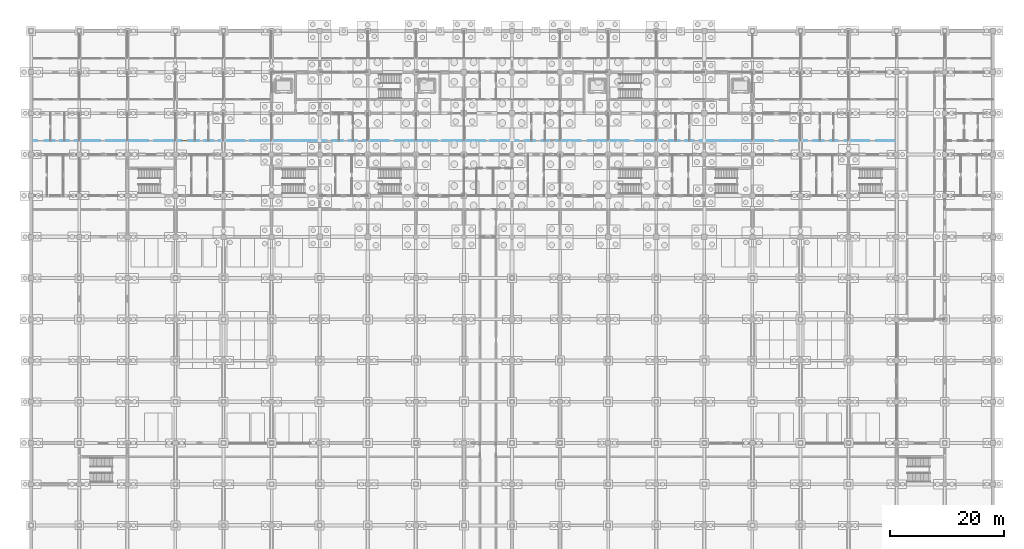
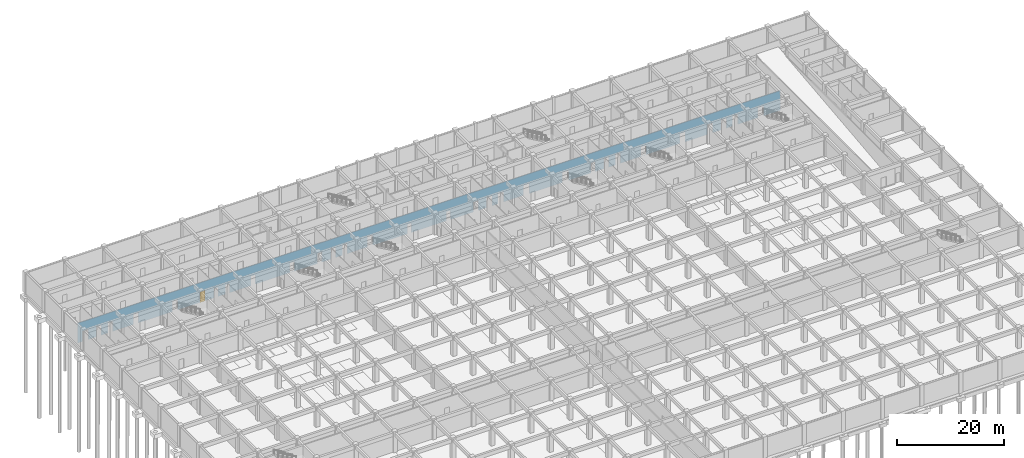
# One storey, part 46 of 85: 1 door, 30 openings, plus 1 element that does not belong to this part.
"""IFC4 building model written with IfcOpenShell, lengths in metres."""

from ifc_helpers import new_model, si_unit, direction, frame, frame_2d, origin, place, context, subcontext, project, spatial, rectangle, extrude, material, layer, layer_set, type_object, element, fill, save


model = new_model("IFC4")

# Units and contexts
model_context = context("Model", 3, precision=1e-05, world=origin(), true_north=direction((0.0, 1.0)))
body_context = subcontext(model_context, "Body", "Model", "MODEL_VIEW")
ifc_project = project(units=[si_unit("LENGTHUNIT", "METRE"), si_unit("AREAUNIT", "SQUARE_METRE"), si_unit("VOLUMEUNIT", "CUBIC_METRE"), si_unit("PLANEANGLEUNIT", "RADIAN"), si_unit("MASSUNIT", "GRAM", prefix="KILO")], contexts=[model_context])

# Site, building, storey
site_placement = place(None, origin())
site = spatial("IfcSite", under=ifc_project, at=site_placement, CompositionType="ELEMENT")
building_placement = place(site_placement, origin())
building = spatial("IfcBuilding", under=site, at=building_placement, Name="Chengyuan Square Courthouse", CompositionType="ELEMENT")
storey_placement = place(building_placement, frame((0.0, 0.0, -10.199951171875)))
storey = spatial("IfcBuildingStorey", under=building, at=storey_placement, Name="B02", CompositionType="ELEMENT", Elevation=-10.199951171875)

# Wall, openings, door
ifc_material_1 = material(Name="Gypsum Plasterboard Acoustic Stud Partition")
ifc_layer = layer(ifc_material_1, 0.10009765625)
ifc_layer_set = layer_set([ifc_layer], Name="Gypsum Plasterboard Acoustic Stud Partition")
wall_type = type_object("IfcWallType", Name="WL-PT6", PredefinedType="STANDARD", material=ifc_layer_set)
wall_placement = place(storey_placement, frame((0.0400390625, 96.0, 0.0), z_axis=(0.0, 0.0, 1.0), x_axis=(1.0, 0.0, 0.0)))
wall = element("IfcWall", 1, at=wall_placement, inside=storey, type_object=wall_type, Name="Interior Wall WL-B02-I062", PredefinedType="STANDARD", context=body_context, shape_type="SweptSolid", body=[
    extrude(rectangle(XDim=151.159912109375, YDim=0.10009765625, at=frame_2d((75.580078125, 0.0))), origin(), (0.0, 0.0, 1.0), 4.47998046875),
])
opening_1_placement = place(wall_placement, frame((1.0400390625, 0.0, 0.0)))
element("IfcOpeningElement", 2, at=opening_1_placement, cuts=wall, Name="Opening DR-148", PredefinedType="OPENING", context=body_context, shape_type="SweptSolid", body=[
    extrude(rectangle(XDim=1.280029296875, YDim=2.35009765625, at=frame_2d((0.64013671875, 1.175048828125))), frame((0.0, 0.06201171875, 0.0), z_axis=(0.0, -1.0, 0.0), x_axis=(1.0, 0.0, 0.0)), (0.0, 0.0, 1.0), 0.1240234375),
])
opening_2_placement = place(wall_placement, frame((4.090087890625, 0.0, 0.0)))
element("IfcOpeningElement", 3, at=opening_2_placement, cuts=wall, Name="Opening DR-149", PredefinedType="OPENING", context=body_context, shape_type="SweptSolid", body=[
    extrude(rectangle(XDim=0.93994140625, YDim=2.300048828125, at=frame_2d((0.469970703125, 1.14990234375))), frame((0.0, 0.06201171875, 0.0), z_axis=(0.0, -1.0, 0.0), x_axis=(1.0, 0.0, 0.0)), (0.0, 0.0, 1.0), 0.1240234375),
])
opening_3_placement = place(wall_placement, frame((6.570068359375, 0.0, 0.0)))
element("IfcOpeningElement", 4, at=opening_3_placement, cuts=wall, Name="Opening DR-150", PredefinedType="OPENING", context=body_context, shape_type="SweptSolid", body=[
    extrude(rectangle(XDim=0.97998046875, YDim=2.35009765625, at=frame_2d((0.489990234375, 1.175048828125))), frame((0.0, 0.06201171875, 0.0), z_axis=(0.0, -1.0, 0.0), x_axis=(1.0, 0.0, 0.0)), (0.0, 0.0, 1.0), 0.1240234375),
])
opening_4_placement = place(wall_placement, frame((12.050048828125, 0.0, 0.0)))
element("IfcOpeningElement", 5, at=opening_4_placement, cuts=wall, Name="Opening DR-151", PredefinedType="OPENING", context=body_context, shape_type="SweptSolid", body=[
    extrude(rectangle(XDim=1.02001953125, YDim=2.39990234375, at=frame_2d((0.510009765625, 1.199951171875))), frame((0.0, 0.06201171875, 0.0), z_axis=(0.0, -1.0, 0.0), x_axis=(1.0, 0.0, 0.0)), (0.0, 0.0, 1.0), 0.1240234375),
])
opening_5_placement = place(wall_placement, frame((20.429931640625, 0.0, 0.0)))
element("IfcOpeningElement", 6, at=opening_5_placement, cuts=wall, Name="Opening DR-152", PredefinedType="OPENING", context=body_context, shape_type="SweptSolid", body=[
    extrude(rectangle(XDim=1.06005859375, YDim=2.39990234375, at=frame_2d((0.530029296875, 1.199951171875))), frame((0.0, 0.06201171875, 0.0), z_axis=(0.0, -1.0, 0.0), x_axis=(1.0, 0.0, 0.0)), (0.0, 0.0, 1.0), 0.1240234375),
])
opening_6_placement = place(wall_placement, frame((26.2900390625, 0.0, 0.0)))
opening_6 = element("IfcOpeningElement", 7, at=opening_6_placement, cuts=wall, Name="Opening DR-153", PredefinedType="OPENING", context=body_context, shape_type="SweptSolid", body=[
    extrude(rectangle(XDim=1.139892578125, YDim=2.39990234375, at=frame_2d((0.56982421875, 1.199951171875))), frame((0.0, 0.06201171875, 0.0), z_axis=(0.0, -1.0, 0.0), x_axis=(1.0, 0.0, 0.0)), (0.0, 0.0, 1.0), 0.1240234375),
])
opening_7_placement = place(wall_placement, frame((29.31005859375, 0.0, 0.0)))
element("IfcOpeningElement", 8, at=opening_7_placement, cuts=wall, Name="Opening DR-154", PredefinedType="OPENING", context=body_context, shape_type="SweptSolid", body=[
    extrude(rectangle(XDim=0.89990234375, YDim=2.14990234375, at=frame_2d((0.449951171875, 1.074951171875))), frame((0.0, 0.06201171875, 0.0), z_axis=(0.0, -1.0, 0.0), x_axis=(1.0, 0.0, 0.0)), (0.0, 0.0, 1.0), 0.1240234375),
])
opening_8_placement = place(wall_placement, frame((31.830078125, 0.0, 0.0)))
element("IfcOpeningElement", 9, at=opening_8_placement, cuts=wall, Name="Opening DR-155", PredefinedType="OPENING", context=body_context, shape_type="SweptSolid", body=[
    extrude(rectangle(XDim=0.860107421875, YDim=2.10009765625, at=frame_2d((0.43017578125, 1.050048828125))), frame((0.0, 0.06201171875, 0.0), z_axis=(0.0, -1.0, 0.0), x_axis=(1.0, 0.0, 0.0)), (0.0, 0.0, 1.0), 0.1240234375),
])
opening_9_placement = place(wall_placement, frame((37.300048828125, 0.0, 0.0)))
element("IfcOpeningElement", 10, at=opening_9_placement, cuts=wall, Name="Opening DR-156", PredefinedType="OPENING", context=body_context, shape_type="SweptSolid", body=[
    extrude(rectangle(XDim=0.919921875, YDim=2.14990234375, at=frame_2d((0.4599609375, 1.074951171875))), frame((0.0, 0.06201171875, 0.0), z_axis=(0.0, -1.0, 0.0), x_axis=(1.0, 0.0, 0.0)), (0.0, 0.0, 1.0), 0.1240234375),
])
opening_10_placement = place(wall_placement, frame((45.679931640625, 0.0, 0.0)))
element("IfcOpeningElement", 11, at=opening_10_placement, cuts=wall, Name="Opening DR-157", PredefinedType="OPENING", context=body_context, shape_type="SweptSolid", body=[
    extrude(rectangle(XDim=0.9599609375, YDim=2.199951171875, at=frame_2d((0.47998046875, 1.10009765625))), frame((0.0, 0.06201171875, 0.0), z_axis=(0.0, -1.0, 0.0), x_axis=(1.0, 0.0, 0.0)), (0.0, 0.0, 1.0), 0.1240234375),
])
opening_11_placement = place(wall_placement, frame((51.570068359375, 0.0, 0.0)))
element("IfcOpeningElement", 12, at=opening_11_placement, cuts=wall, Name="Opening DR-167", PredefinedType="OPENING", context=body_context, shape_type="SweptSolid", body=[
    extrude(rectangle(XDim=0.97998046875, YDim=2.35009765625, at=frame_2d((0.489990234375, 1.175048828125))), frame((0.0, 0.06201171875, 0.0), z_axis=(0.0, -1.0, 0.0), x_axis=(1.0, 0.0, 0.0)), (0.0, 0.0, 1.0), 0.1240234375),
])
opening_12_placement = place(wall_placement, frame((54.449951171875, 0.0, 0.0)))
element("IfcOpeningElement", 13, at=opening_12_placement, cuts=wall, Name="Opening DR-168", PredefinedType="OPENING", context=body_context, shape_type="SweptSolid", body=[
    extrude(rectangle(XDim=1.02001953125, YDim=2.39990234375, at=frame_2d((0.510009765625, 1.199951171875))), frame((0.0, 0.06201171875, 0.0), z_axis=(0.0, -1.0, 0.0), x_axis=(1.0, 0.0, 0.0)), (0.0, 0.0, 1.0), 0.1240234375),
])
opening_13_placement = place(wall_placement, frame((56.929931640625, 0.0, 0.0)))
element("IfcOpeningElement", 14, at=opening_13_placement, cuts=wall, Name="Opening DR-169", PredefinedType="OPENING", context=body_context, shape_type="SweptSolid", body=[
    extrude(rectangle(XDim=1.06005859375, YDim=2.39990234375, at=frame_2d((0.530029296875, 1.199951171875))), frame((0.0, 0.06201171875, 0.0), z_axis=(0.0, -1.0, 0.0), x_axis=(1.0, 0.0, 0.0)), (0.0, 0.0, 1.0), 0.1240234375),
])
opening_14_placement = place(wall_placement, frame((62.389892578125, 0.0, 0.0)))
element("IfcOpeningElement", 15, at=opening_14_placement, cuts=wall, Name="Opening DR-170", PredefinedType="OPENING", context=body_context, shape_type="SweptSolid", body=[
    extrude(rectangle(XDim=1.139892578125, YDim=2.39990234375, at=frame_2d((0.56982421875, 1.199951171875))), frame((0.0, 0.06201171875, 0.0), z_axis=(0.0, -1.0, 0.0), x_axis=(1.0, 0.0, 0.0)), (0.0, 0.0, 1.0), 0.1240234375),
])
opening_15_placement = place(wall_placement, frame((70.909912109375, 0.0, 0.0)))
element("IfcOpeningElement", 16, at=opening_15_placement, cuts=wall, Name="Opening DR-171", PredefinedType="OPENING", context=body_context, shape_type="SweptSolid", body=[
    extrude(rectangle(XDim=0.89990234375, YDim=2.14990234375, at=frame_2d((0.449951171875, 1.074951171875))), frame((0.0, 0.06201171875, 0.0), z_axis=(0.0, -1.0, 0.0), x_axis=(1.0, 0.0, 0.0)), (0.0, 0.0, 1.0), 0.1240234375),
])
opening_16_placement = place(wall_placement, frame((79.330078125, 0.0, 0.0)))
element("IfcOpeningElement", 17, at=opening_16_placement, cuts=wall, Name="Opening DR-172", PredefinedType="OPENING", context=body_context, shape_type="SweptSolid", body=[
    extrude(rectangle(XDim=0.860107421875, YDim=2.10009765625, at=frame_2d((0.43017578125, 1.050048828125))), frame((0.0, 0.06201171875, 0.0), z_axis=(0.0, -1.0, 0.0), x_axis=(1.0, 0.0, 0.0)), (0.0, 0.0, 1.0), 0.1240234375),
])
opening_17_placement = place(wall_placement, frame((85.10009765625, 0.0, 0.0)))
element("IfcOpeningElement", 18, at=opening_17_placement, cuts=wall, Name="Opening DR-178", PredefinedType="OPENING", context=body_context, shape_type="SweptSolid", body=[
    extrude(rectangle(XDim=1.1201171875, YDim=2.25, at=frame_2d((0.56005859375, 1.125))), frame((0.0, 0.06201171875, 0.0), z_axis=(0.0, -1.0, 0.0), x_axis=(1.0, 0.0, 0.0)), (0.0, 0.0, 1.0), 0.1240234375),
])
opening_18_placement = place(wall_placement, frame((87.97998046875, 0.0, 0.0)))
element("IfcOpeningElement", 19, at=opening_18_placement, cuts=wall, Name="Opening DR-179", PredefinedType="OPENING", context=body_context, shape_type="SweptSolid", body=[
    extrude(rectangle(XDim=1.159912109375, YDim=2.300048828125, at=frame_2d((0.580078125, 1.14990234375))), frame((0.0, 0.06201171875, 0.0), z_axis=(0.0, -1.0, 0.0), x_axis=(1.0, 0.0, 0.0)), (0.0, 0.0, 1.0), 0.1240234375),
])
opening_19_placement = place(wall_placement, frame((90.4599609375, 0.0, 0.0)))
element("IfcOpeningElement", 20, at=opening_19_placement, cuts=wall, Name="Opening DR-180", PredefinedType="OPENING", context=body_context, shape_type="SweptSolid", body=[
    extrude(rectangle(XDim=1.199951171875, YDim=2.35009765625, at=frame_2d((0.60009765625, 1.175048828125))), frame((0.0, 0.06201171875, 0.0), z_axis=(0.0, -1.0, 0.0), x_axis=(1.0, 0.0, 0.0)), (0.0, 0.0, 1.0), 0.1240234375),
])
opening_20_placement = place(wall_placement, frame((95.93994140625, 0.0, 0.0)))
element("IfcOpeningElement", 21, at=opening_20_placement, cuts=wall, Name="Opening DR-181", PredefinedType="OPENING", context=body_context, shape_type="SweptSolid", body=[
    extrude(rectangle(XDim=1.239990234375, YDim=2.300048828125, at=frame_2d((0.6201171875, 1.14990234375))), frame((0.0, 0.06201171875, 0.0), z_axis=(0.0, -1.0, 0.0), x_axis=(1.0, 0.0, 0.0)), (0.0, 0.0, 1.0), 0.1240234375),
])
opening_21_placement = place(wall_placement, frame((104.320068359375, 0.0, 0.0)))
element("IfcOpeningElement", 22, at=opening_21_placement, cuts=wall, Name="Opening DR-182", PredefinedType="OPENING", context=body_context, shape_type="SweptSolid", body=[
    extrude(rectangle(XDim=1.280029296875, YDim=2.35009765625, at=frame_2d((0.64013671875, 1.175048828125))), frame((0.0, 0.06201171875, 0.0), z_axis=(0.0, -1.0, 0.0), x_axis=(1.0, 0.0, 0.0)), (0.0, 0.0, 1.0), 0.1240234375),
])
opening_22_placement = place(wall_placement, frame((110.389892578125, 0.0, 0.0)))
element("IfcOpeningElement", 23, at=opening_22_placement, cuts=wall, Name="Opening DR-183", PredefinedType="OPENING", context=body_context, shape_type="SweptSolid", body=[
    extrude(rectangle(XDim=0.93994140625, YDim=2.300048828125, at=frame_2d((0.469970703125, 1.14990234375))), frame((0.0, 0.06201171875, 0.0), z_axis=(0.0, -1.0, 0.0), x_axis=(1.0, 0.0, 0.0)), (0.0, 0.0, 1.0), 0.1240234375),
])
opening_23_placement = place(wall_placement, frame((113.27001953125, 0.0, 0.0)))
element("IfcOpeningElement", 24, at=opening_23_placement, cuts=wall, Name="Opening DR-184", PredefinedType="OPENING", context=body_context, shape_type="SweptSolid", body=[
    extrude(rectangle(XDim=0.97998046875, YDim=2.35009765625, at=frame_2d((0.489990234375, 1.175048828125))), frame((0.0, 0.06201171875, 0.0), z_axis=(0.0, -1.0, 0.0), x_axis=(1.0, 0.0, 0.0)), (0.0, 0.0, 1.0), 0.1240234375),
])
opening_24_placement = place(wall_placement, frame((115.75, 0.0, 0.0)))
element("IfcOpeningElement", 25, at=opening_24_placement, cuts=wall, Name="Opening DR-185", PredefinedType="OPENING", context=body_context, shape_type="SweptSolid", body=[
    extrude(rectangle(XDim=1.02001953125, YDim=2.39990234375, at=frame_2d((0.510009765625, 1.199951171875))), frame((0.0, 0.06201171875, 0.0), z_axis=(0.0, -1.0, 0.0), x_axis=(1.0, 0.0, 0.0)), (0.0, 0.0, 1.0), 0.1240234375),
])
opening_25_placement = place(wall_placement, frame((121.239990234375, 0.0, 0.0)))
element("IfcOpeningElement", 26, at=opening_25_placement, cuts=wall, Name="Opening DR-193", PredefinedType="OPENING", context=body_context, shape_type="SweptSolid", body=[
    extrude(rectangle(XDim=1.0400390625, YDim=2.199951171875, at=frame_2d((0.52001953125, 1.10009765625))), frame((0.0, 0.06201171875, 0.0), z_axis=(0.0, -1.0, 0.0), x_axis=(1.0, 0.0, 0.0)), (0.0, 0.0, 1.0), 0.1240234375),
])
opening_26_placement = place(wall_placement, frame((129.6201171875, 0.0, 0.0)))
element("IfcOpeningElement", 27, at=opening_26_placement, cuts=wall, Name="Opening DR-194", PredefinedType="OPENING", context=body_context, shape_type="SweptSolid", body=[
    extrude(rectangle(XDim=1.080078125, YDim=2.25, at=frame_2d((0.5400390625, 1.125))), frame((0.0, 0.06201171875, 0.0), z_axis=(0.0, -1.0, 0.0), x_axis=(1.0, 0.0, 0.0)), (0.0, 0.0, 1.0), 0.1240234375),
])
opening_27_placement = place(wall_placement, frame((135.5, 0.0, 0.0)))
element("IfcOpeningElement", 28, at=opening_27_placement, cuts=wall, Name="Opening DR-195", PredefinedType="OPENING", context=body_context, shape_type="SweptSolid", body=[
    extrude(rectangle(XDim=1.1201171875, YDim=2.25, at=frame_2d((0.56005859375, 1.125))), frame((0.0, 0.06201171875, 0.0), z_axis=(0.0, -1.0, 0.0), x_axis=(1.0, 0.0, 0.0)), (0.0, 0.0, 1.0), 0.1240234375),
])
opening_28_placement = place(wall_placement, frame((138.3798828125, 0.0, 0.0)))
element("IfcOpeningElement", 29, at=opening_28_placement, cuts=wall, Name="Opening DR-196", PredefinedType="OPENING", context=body_context, shape_type="SweptSolid", body=[
    extrude(rectangle(XDim=1.159912109375, YDim=2.300048828125, at=frame_2d((0.580078125, 1.14990234375))), frame((0.0, 0.06201171875, 0.0), z_axis=(0.0, -1.0, 0.0), x_axis=(1.0, 0.0, 0.0)), (0.0, 0.0, 1.0), 0.1240234375),
])
opening_29_placement = place(wall_placement, frame((140.860107421875, 0.0, 0.0)))
element("IfcOpeningElement", 30, at=opening_29_placement, cuts=wall, Name="Opening DR-197", PredefinedType="OPENING", context=body_context, shape_type="SweptSolid", body=[
    extrude(rectangle(XDim=1.199951171875, YDim=2.35009765625, at=frame_2d((0.60009765625, 1.175048828125))), frame((0.0, 0.06201171875, 0.0), z_axis=(0.0, -1.0, 0.0), x_axis=(1.0, 0.0, 0.0)), (0.0, 0.0, 1.0), 0.1240234375),
])
opening_30_placement = place(wall_placement, frame((146.340087890625, 0.0, 0.0)))
element("IfcOpeningElement", 31, at=opening_30_placement, cuts=wall, Name="Opening DR-198", PredefinedType="OPENING", context=body_context, shape_type="SweptSolid", body=[
    extrude(rectangle(XDim=1.239990234375, YDim=2.300048828125, at=frame_2d((0.6201171875, 1.14990234375))), frame((0.0, 0.06201171875, 0.0), z_axis=(0.0, -1.0, 0.0), x_axis=(1.0, 0.0, 0.0)), (0.0, 0.0, 1.0), 0.1240234375),
])
ifc_material_2 = material(Name="Acoustic Solid-Core Timber Door", Category="wood")
door_type = type_object("IfcDoorType", Name="DT-43", OperationType="NOTDEFINED", PredefinedType="DOOR", material=ifc_material_2)
door_placement = place(opening_6_placement, origin())
door = element("IfcDoor", 32, at=door_placement, inside=storey, type_object=door_type, Name="Interior Door DR-153", OperationType="SINGLE_SWING_RIGHT", OverallHeight=2.39990234375, OverallWidth=1.139892578125, PredefinedType="DOOR", context=body_context, shape_type="SweptSolid", body=[
    extrude(rectangle(XDim=1.139892578125, YDim=2.39990234375, at=frame_2d((0.56982421875, 1.199951171875))), frame((0.0, 0.02490234375, 0.0), z_axis=(0.0, -1.0, 0.0), x_axis=(1.0, 0.0, 0.0)), (0.0, 0.0, 1.0), 0.050048828125),
])
fill(opening_6, door)

save(model, "model.ifc")
